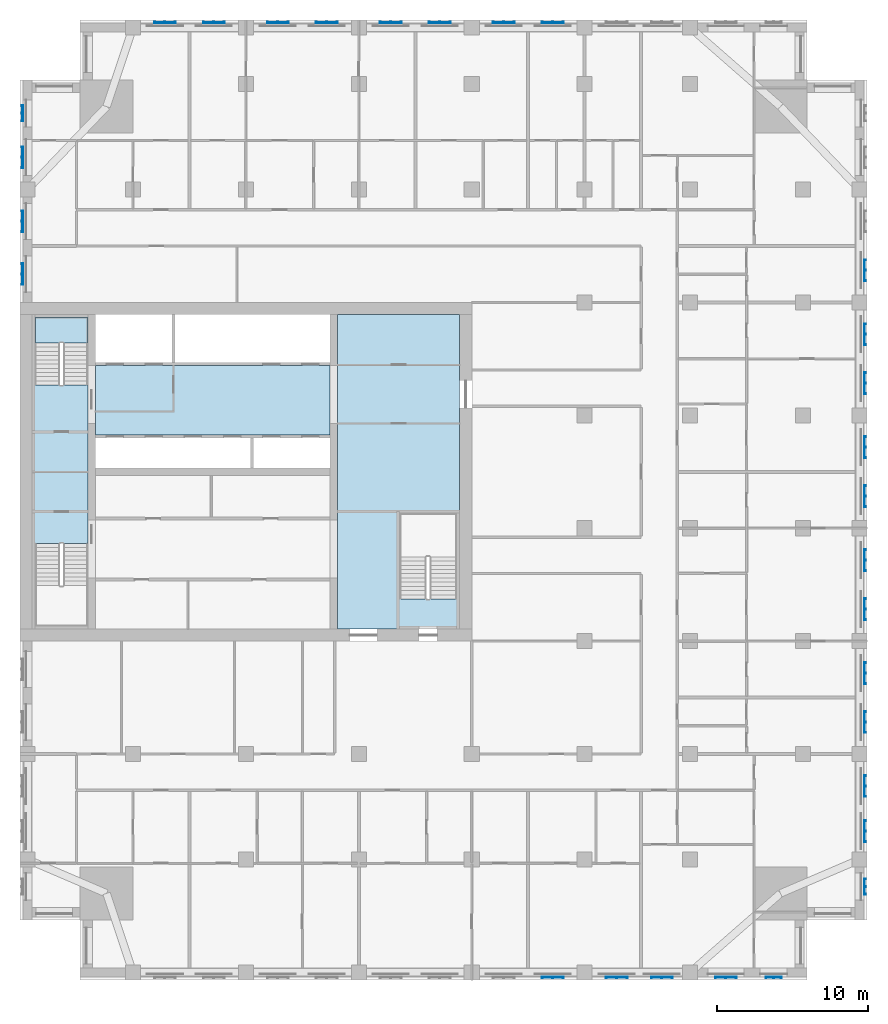
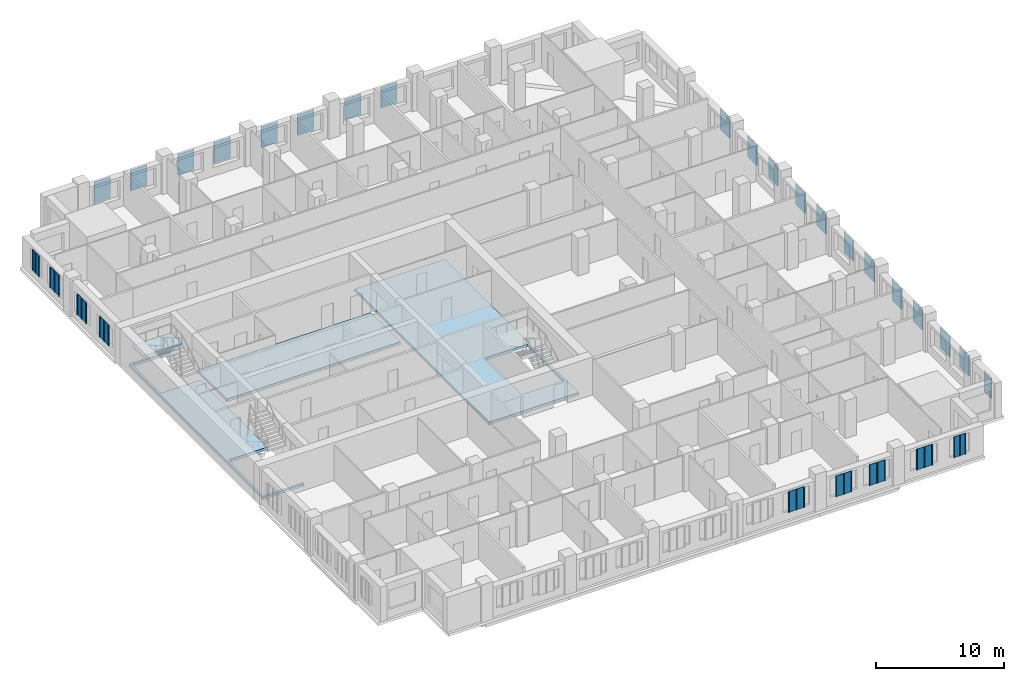
# One storey, part 2 of 14: 29 plates, 4 slabs, 1 element without a shape of its own.
"""IFC4 building model written with IfcOpenShell, lengths in metres."""

from ifc_helpers import new_model, si_unit, direction, frame, origin, place, context, subcontext, project, spatial, polyline, outline, extrude, material, layer, layer_set, type_object, element, aggregate, save


model = new_model("IFC4")

# Units and contexts
model_context = context("Model", 3, precision=1e-05, world=origin(), true_north=direction((0.0, 1.0)))
body_context = subcontext(model_context, "Body", "Model", "MODEL_VIEW")
ifc_project = project(units=[si_unit("LENGTHUNIT", "METRE"), si_unit("AREAUNIT", "SQUARE_METRE"), si_unit("VOLUMEUNIT", "CUBIC_METRE"), si_unit("PLANEANGLEUNIT", "RADIAN"), si_unit("MASSUNIT", "GRAM", prefix="KILO")], contexts=[model_context])

# Site, building, storey
site_placement = place(None, origin())
site = spatial("IfcSite", under=ifc_project, at=site_placement, CompositionType="ELEMENT")
building_placement = place(site_placement, origin())
building = spatial("IfcBuilding", under=site, at=building_placement, Name="Tamorin Gate", CompositionType="ELEMENT")
storey_placement = place(building_placement, frame((0.0, 0.0, 137.39990234375)))
storey = spatial("IfcBuildingStorey", under=building, at=storey_placement, Name="L33", CompositionType="ELEMENT", Elevation=137.39990234375)

# Slabs
ifc_material_1 = material(Name="Concrete C40/50", Category="concrete")
ifc_layer_1 = layer(ifc_material_1, 0.25)
ifc_layer_set_1 = layer_set([ifc_layer_1], Name="Core floor slab 250 C40/50")
slab_type_1 = type_object("IfcSlabType", Name="Core floor slab 250 C40/50", PredefinedType="FLOOR", material=ifc_layer_set_1)
slab_1_placement = place(storey_placement, frame((0.0, 0.0, -0.25)))
element("IfcSlab", 1, at=slab_1_placement, inside=storey, type_object=slab_type_1, Name="Core floor L33", PredefinedType="FLOOR", context=body_context, shape_type="SweptSolid", body=[
    extrude(outline(polyline([(51.10009765625, 81.699951171875), (59.199951171875, 81.699951171875), (59.199951171875, 60.800048828125), (51.10009765625, 60.800048828125), (51.10009765625, 81.699951171875)]), holes=[polyline([(55.199951171875, 62.800048828125), (59.0, 62.800048828125), (59.0, 68.5), (55.199951171875, 68.5), (55.199951171875, 62.800048828125)])]), origin(), (0.0, 0.0, 1.0), 0.25),
])
slab_2_placement = place(storey_placement, frame((0.0, 0.0, -0.25)))
element("IfcSlab", 2, at=slab_2_placement, inside=storey, type_object=slab_type_1, Name="Core floor L33", PredefinedType="FLOOR", context=body_context, shape_type="SweptSolid", body=[
    extrude(outline(polyline([(50.60009765625, 73.699951171875), (35.0, 73.699951171875), (35.0, 78.300048828125), (50.60009765625, 78.300048828125), (50.60009765625, 73.699951171875)])), origin(), (0.0, 0.0, 1.0), 0.25),
])
slab_3_placement = place(storey_placement, frame((0.0, 0.0, -0.25)))
element("IfcSlab", 3, at=slab_3_placement, inside=storey, type_object=slab_type_1, Name="Core floor L33", PredefinedType="FLOOR", context=body_context, shape_type="SweptSolid", body=[
    extrude(outline(polyline([(34.5, 60.800048828125), (30.800048828125, 60.800048828125), (30.800048828125, 81.699951171875), (34.5, 81.699951171875), (34.5, 81.5), (31.0, 81.5), (31.0, 77.0), (34.5, 77.0), (34.5, 66.5), (31.0, 66.5), (31.0, 61.0), (34.5, 61.0), (34.5, 60.800048828125)])), origin(), (0.0, 0.0, 1.0), 0.25),
])

# Stair, slab
stair_type = type_object("IfcStairType", Name="Exit stair", PredefinedType="HALF_TURN_STAIR", material=ifc_material_1)
stair_placement = place(storey_placement, origin())
stair = element("IfcStair", 4, at=stair_placement, inside=storey, type_object=stair_type, Name="L33 stair ST2", PredefinedType="HALF_TURN_STAIR")
ifc_layer_2 = layer(ifc_material_1, 0.199951171875)
ifc_layer_set_2 = layer_set([ifc_layer_2], Name="Exit stair landing 200")
slab_type_2 = type_object("IfcSlabType", Name="Exit stair landing 200", PredefinedType="LANDING", material=ifc_layer_set_2)
slab_4_placement = place(storey_placement, frame((0.0, 0.0, 1.60009765625)))
slab_4 = element("IfcSlab", 5, at=slab_4_placement, type_object=slab_type_2, Name="ST2 landing 1", PredefinedType="LANDING", context=body_context, shape_type="SweptSolid", body=[
    extrude(outline(polyline([(34.5, 79.800048828125), (34.5, 81.5), (31.0, 81.5), (31.0, 79.800048828125), (34.5, 79.800048828125)])), origin(), (0.0, 0.0, 1.0), 0.199951171875),
])
aggregate(stair, [slab_4])

# Plates
ifc_material_2 = material(Name="Perforated pale aluminium sheet", Category="aluminium")
ifc_layer_3 = layer(ifc_material_2, 0.0400390625)
ifc_layer_set_3 = layer_set([ifc_layer_3], Name="Pale metal solar screen 1080")
plate_type_1 = type_object("IfcPlateType", Name="Pale metal solar screen 1080", PredefinedType="SHEET", material=ifc_layer_set_3)
plate_1_placement = place(storey_placement, frame((0.0, 0.0, 0.710205078125)))
element("IfcPlate", 6, at=plate_1_placement, inside=storey, type_object=plate_type_1, Name="Perforated solar screen", PredefinedType="SHEET", context=body_context, shape_type="SweptSolid", body=[
    extrude(outline(polyline([(79.510009765625, 37.659912109375), (79.510009765625, 37.699951171875), (79.570068359375, 37.699951171875), (80.02001953125, 37.699951171875), (80.080078125, 37.699951171875), (80.530029296875, 37.699951171875), (80.590087890625, 37.699951171875), (80.590087890625, 37.659912109375), (80.590087890625, 37.60009765625), (80.530029296875, 37.60009765625), (80.530029296875, 37.659912109375), (80.080078125, 37.659912109375), (80.080078125, 37.60009765625), (80.02001953125, 37.60009765625), (80.02001953125, 37.659912109375), (79.570068359375, 37.659912109375), (79.570068359375, 37.60009765625), (79.510009765625, 37.60009765625), (79.510009765625, 37.659912109375)])), origin(), (0.0, 0.0, 1.0), 1.97998046875),
])
plate_2_placement = place(storey_placement, frame((0.0, 0.0, 0.710205078125)))
element("IfcPlate", 7, at=plate_2_placement, inside=storey, type_object=plate_type_1, Name="Perforated solar screen", PredefinedType="SHEET", context=body_context, shape_type="SweptSolid", body=[
    extrude(outline(polyline([(86.090087890625, 43.159912109375), (86.050048828125, 43.159912109375), (86.050048828125, 43.219970703125), (86.050048828125, 43.669921875), (86.050048828125, 43.72998046875), (86.050048828125, 44.179931640625), (86.050048828125, 44.239990234375), (86.090087890625, 44.239990234375), (86.14990234375, 44.239990234375), (86.14990234375, 44.179931640625), (86.090087890625, 44.179931640625), (86.090087890625, 43.72998046875), (86.14990234375, 43.72998046875), (86.14990234375, 43.669921875), (86.090087890625, 43.669921875), (86.090087890625, 43.219970703125), (86.14990234375, 43.219970703125), (86.14990234375, 43.159912109375), (86.090087890625, 43.159912109375)])), origin(), (0.0, 0.0, 1.0), 1.97998046875),
])
plate_3_placement = place(storey_placement, frame((0.0, 0.0, 0.710205078125)))
element("IfcPlate", 8, at=plate_3_placement, inside=storey, type_object=plate_type_1, Name="Perforated solar screen", PredefinedType="SHEET", context=body_context, shape_type="SweptSolid", body=[
    extrude(outline(polyline([(30.159912109375, 95.590087890625), (30.199951171875, 95.590087890625), (30.199951171875, 95.530029296875), (30.199951171875, 95.080078125), (30.199951171875, 95.02001953125), (30.199951171875, 94.570068359375), (30.199951171875, 94.510009765625), (30.159912109375, 94.510009765625), (30.10009765625, 94.510009765625), (30.10009765625, 94.570068359375), (30.159912109375, 94.570068359375), (30.159912109375, 95.02001953125), (30.10009765625, 95.02001953125), (30.10009765625, 95.080078125), (30.159912109375, 95.080078125), (30.159912109375, 95.530029296875), (30.10009765625, 95.530029296875), (30.10009765625, 95.590087890625), (30.159912109375, 95.590087890625)])), origin(), (0.0, 0.0, 1.0), 1.97998046875),
])
ifc_layer_4 = layer(ifc_material_2, 0.0400390625)
ifc_layer_set_4 = layer_set([ifc_layer_4], Name="Pale metal solar screen 1440")
plate_type_2 = type_object("IfcPlateType", Name="Pale metal solar screen 1440", PredefinedType="SHEET", material=ifc_layer_set_4)
plate_4_placement = place(storey_placement, frame((0.0, 0.0, 0.710205078125)))
element("IfcPlate", 9, at=plate_4_placement, inside=storey, type_object=plate_type_2, Name="Perforated solar screen", PredefinedType="SHEET", context=body_context, shape_type="SweptSolid", body=[
    extrude(outline(polyline([(64.655029296875, 37.659912109375), (64.655029296875, 37.699951171875), (64.715087890625, 37.699951171875), (65.344970703125, 37.699951171875), (65.405029296875, 37.699951171875), (66.034912109375, 37.699951171875), (66.094970703125, 37.699951171875), (66.094970703125, 37.659912109375), (66.094970703125, 37.60009765625), (66.034912109375, 37.60009765625), (66.034912109375, 37.659912109375), (65.405029296875, 37.659912109375), (65.405029296875, 37.60009765625), (65.344970703125, 37.60009765625), (65.344970703125, 37.659912109375), (64.715087890625, 37.659912109375), (64.715087890625, 37.60009765625), (64.655029296875, 37.60009765625), (64.655029296875, 37.659912109375)])), origin(), (0.0, 0.0, 1.0), 1.97998046875),
])
plate_5_placement = place(storey_placement, frame((0.0, 0.0, 0.710205078125)))
element("IfcPlate", 10, at=plate_5_placement, inside=storey, type_object=plate_type_2, Name="Perforated solar screen", PredefinedType="SHEET", context=body_context, shape_type="SweptSolid", body=[
    extrude(outline(polyline([(68.905029296875, 37.659912109375), (68.905029296875, 37.699951171875), (68.965087890625, 37.699951171875), (69.594970703125, 37.699951171875), (69.655029296875, 37.699951171875), (70.284912109375, 37.699951171875), (70.344970703125, 37.699951171875), (70.344970703125, 37.659912109375), (70.344970703125, 37.60009765625), (70.284912109375, 37.60009765625), (70.284912109375, 37.659912109375), (69.655029296875, 37.659912109375), (69.655029296875, 37.60009765625), (69.594970703125, 37.60009765625), (69.594970703125, 37.659912109375), (68.965087890625, 37.659912109375), (68.965087890625, 37.60009765625), (68.905029296875, 37.60009765625), (68.905029296875, 37.659912109375)])), origin(), (0.0, 0.0, 1.0), 1.97998046875),
])
plate_6_placement = place(storey_placement, frame((0.0, 0.0, 0.710205078125)))
element("IfcPlate", 11, at=plate_6_placement, inside=storey, type_object=plate_type_2, Name="Perforated solar screen", PredefinedType="SHEET", context=body_context, shape_type="SweptSolid", body=[
    extrude(outline(polyline([(71.905029296875, 37.659912109375), (71.905029296875, 37.699951171875), (71.965087890625, 37.699951171875), (72.594970703125, 37.699951171875), (72.655029296875, 37.699951171875), (73.284912109375, 37.699951171875), (73.344970703125, 37.699951171875), (73.344970703125, 37.659912109375), (73.344970703125, 37.60009765625), (73.284912109375, 37.60009765625), (73.284912109375, 37.659912109375), (72.655029296875, 37.659912109375), (72.655029296875, 37.60009765625), (72.594970703125, 37.60009765625), (72.594970703125, 37.659912109375), (71.965087890625, 37.659912109375), (71.965087890625, 37.60009765625), (71.905029296875, 37.60009765625), (71.905029296875, 37.659912109375)])), origin(), (0.0, 0.0, 1.0), 1.97998046875),
])
plate_7_placement = place(storey_placement, frame((0.0, 0.0, 0.710205078125)))
element("IfcPlate", 12, at=plate_7_placement, inside=storey, type_object=plate_type_2, Name="Perforated solar screen", PredefinedType="SHEET", context=body_context, shape_type="SweptSolid", body=[
    extrude(outline(polyline([(76.155029296875, 37.659912109375), (76.155029296875, 37.699951171875), (76.215087890625, 37.699951171875), (76.844970703125, 37.699951171875), (76.905029296875, 37.699951171875), (77.534912109375, 37.699951171875), (77.594970703125, 37.699951171875), (77.594970703125, 37.659912109375), (77.594970703125, 37.60009765625), (77.534912109375, 37.60009765625), (77.534912109375, 37.659912109375), (76.905029296875, 37.659912109375), (76.905029296875, 37.60009765625), (76.844970703125, 37.60009765625), (76.844970703125, 37.659912109375), (76.215087890625, 37.659912109375), (76.215087890625, 37.60009765625), (76.155029296875, 37.60009765625), (76.155029296875, 37.659912109375)])), origin(), (0.0, 0.0, 1.0), 1.97998046875),
])
plate_8_placement = place(storey_placement, frame((0.0, 0.0, 0.710205078125)))
element("IfcPlate", 13, at=plate_8_placement, inside=storey, type_object=plate_type_2, Name="Perforated solar screen", PredefinedType="SHEET", context=body_context, shape_type="SweptSolid", body=[
    extrude(outline(polyline([(86.090087890625, 46.655029296875), (86.050048828125, 46.655029296875), (86.050048828125, 46.715087890625), (86.050048828125, 47.344970703125), (86.050048828125, 47.405029296875), (86.050048828125, 48.034912109375), (86.050048828125, 48.094970703125), (86.050048828125, 48.094970703125), (86.090087890625, 48.094970703125), (86.090087890625, 48.094970703125), (86.14990234375, 48.094970703125), (86.14990234375, 48.034912109375), (86.090087890625, 48.034912109375), (86.090087890625, 47.405029296875), (86.14990234375, 47.405029296875), (86.14990234375, 47.344970703125), (86.090087890625, 47.344970703125), (86.090087890625, 46.715087890625), (86.14990234375, 46.715087890625), (86.14990234375, 46.655029296875), (86.090087890625, 46.655029296875)])), origin(), (0.0, 0.0, 1.0), 1.97998046875),
])
plate_9_placement = place(storey_placement, frame((0.0, 0.0, 0.710205078125)))
element("IfcPlate", 14, at=plate_9_placement, inside=storey, type_object=plate_type_2, Name="Perforated solar screen", PredefinedType="SHEET", context=body_context, shape_type="SweptSolid", body=[
    extrude(outline(polyline([(86.090087890625, 49.655029296875), (86.050048828125, 49.655029296875), (86.050048828125, 49.715087890625), (86.050048828125, 50.344970703125), (86.050048828125, 50.405029296875), (86.050048828125, 51.034912109375), (86.050048828125, 51.094970703125), (86.090087890625, 51.094970703125), (86.14990234375, 51.094970703125), (86.14990234375, 51.034912109375), (86.090087890625, 51.034912109375), (86.090087890625, 50.405029296875), (86.14990234375, 50.405029296875), (86.14990234375, 50.344970703125), (86.090087890625, 50.344970703125), (86.090087890625, 49.715087890625), (86.14990234375, 49.715087890625), (86.14990234375, 49.655029296875), (86.090087890625, 49.655029296875)])), origin(), (0.0, 0.0, 1.0), 1.97998046875),
])
plate_10_placement = place(storey_placement, frame((0.0, 0.0, 0.710205078125)))
element("IfcPlate", 15, at=plate_10_placement, inside=storey, type_object=plate_type_2, Name="Perforated solar screen", PredefinedType="SHEET", context=body_context, shape_type="SweptSolid", body=[
    extrude(outline(polyline([(86.090087890625, 53.905029296875), (86.050048828125, 53.905029296875), (86.050048828125, 53.965087890625), (86.050048828125, 54.594970703125), (86.050048828125, 54.655029296875), (86.050048828125, 55.284912109375), (86.050048828125, 55.344970703125), (86.090087890625, 55.344970703125), (86.14990234375, 55.344970703125), (86.14990234375, 55.284912109375), (86.090087890625, 55.284912109375), (86.090087890625, 54.655029296875), (86.14990234375, 54.655029296875), (86.14990234375, 54.594970703125), (86.090087890625, 54.594970703125), (86.090087890625, 53.965087890625), (86.14990234375, 53.965087890625), (86.14990234375, 53.905029296875), (86.090087890625, 53.905029296875)])), origin(), (0.0, 0.0, 1.0), 1.97998046875),
])
plate_11_placement = place(storey_placement, frame((0.0, 0.0, 0.710205078125)))
element("IfcPlate", 16, at=plate_11_placement, inside=storey, type_object=plate_type_2, Name="Perforated solar screen", PredefinedType="SHEET", context=body_context, shape_type="SweptSolid", body=[
    extrude(outline(polyline([(86.090087890625, 57.155029296875), (86.050048828125, 57.155029296875), (86.050048828125, 57.215087890625), (86.050048828125, 57.844970703125), (86.050048828125, 57.905029296875), (86.050048828125, 58.534912109375), (86.050048828125, 58.594970703125), (86.090087890625, 58.594970703125), (86.14990234375, 58.594970703125), (86.14990234375, 58.534912109375), (86.090087890625, 58.534912109375), (86.090087890625, 57.905029296875), (86.14990234375, 57.905029296875), (86.14990234375, 57.844970703125), (86.090087890625, 57.844970703125), (86.090087890625, 57.215087890625), (86.14990234375, 57.215087890625), (86.14990234375, 57.155029296875), (86.090087890625, 57.155029296875)])), origin(), (0.0, 0.0, 1.0), 1.97998046875),
])
plate_12_placement = place(storey_placement, frame((0.0, 0.0, 0.710205078125)))
element("IfcPlate", 17, at=plate_12_placement, inside=storey, type_object=plate_type_2, Name="Perforated solar screen", PredefinedType="SHEET", context=body_context, shape_type="SweptSolid", body=[
    extrude(outline(polyline([(86.090087890625, 61.405029296875), (86.050048828125, 61.405029296875), (86.050048828125, 61.465087890625), (86.050048828125, 62.094970703125), (86.050048828125, 62.155029296875), (86.050048828125, 62.784912109375), (86.050048828125, 62.844970703125), (86.090087890625, 62.844970703125), (86.14990234375, 62.844970703125), (86.14990234375, 62.784912109375), (86.090087890625, 62.784912109375), (86.090087890625, 62.155029296875), (86.14990234375, 62.155029296875), (86.14990234375, 62.094970703125), (86.090087890625, 62.094970703125), (86.090087890625, 61.465087890625), (86.14990234375, 61.465087890625), (86.14990234375, 61.405029296875), (86.090087890625, 61.405029296875)])), origin(), (0.0, 0.0, 1.0), 1.97998046875),
])
plate_13_placement = place(storey_placement, frame((0.0, 0.0, 0.710205078125)))
element("IfcPlate", 18, at=plate_13_placement, inside=storey, type_object=plate_type_2, Name="Perforated solar screen", PredefinedType="SHEET", context=body_context, shape_type="SweptSolid", body=[
    extrude(outline(polyline([(86.090087890625, 64.655029296875), (86.050048828125, 64.655029296875), (86.050048828125, 64.715087890625), (86.050048828125, 65.344970703125), (86.050048828125, 65.405029296875), (86.050048828125, 66.034912109375), (86.050048828125, 66.094970703125), (86.090087890625, 66.094970703125), (86.14990234375, 66.094970703125), (86.14990234375, 66.034912109375), (86.090087890625, 66.034912109375), (86.090087890625, 65.405029296875), (86.14990234375, 65.405029296875), (86.14990234375, 65.344970703125), (86.090087890625, 65.344970703125), (86.090087890625, 64.715087890625), (86.14990234375, 64.715087890625), (86.14990234375, 64.655029296875), (86.090087890625, 64.655029296875)])), origin(), (0.0, 0.0, 1.0), 1.97998046875),
])
plate_14_placement = place(storey_placement, frame((0.0, 0.0, 0.710205078125)))
element("IfcPlate", 19, at=plate_14_placement, inside=storey, type_object=plate_type_2, Name="Perforated solar screen", PredefinedType="SHEET", context=body_context, shape_type="SweptSolid", body=[
    extrude(outline(polyline([(86.090087890625, 68.905029296875), (86.050048828125, 68.905029296875), (86.050048828125, 68.965087890625), (86.050048828125, 69.594970703125), (86.050048828125, 69.655029296875), (86.050048828125, 70.284912109375), (86.050048828125, 70.344970703125), (86.090087890625, 70.344970703125), (86.14990234375, 70.344970703125), (86.14990234375, 70.284912109375), (86.090087890625, 70.284912109375), (86.090087890625, 69.655029296875), (86.14990234375, 69.655029296875), (86.14990234375, 69.594970703125), (86.090087890625, 69.594970703125), (86.090087890625, 68.965087890625), (86.14990234375, 68.965087890625), (86.14990234375, 68.905029296875), (86.090087890625, 68.905029296875)])), origin(), (0.0, 0.0, 1.0), 1.97998046875),
])
plate_15_placement = place(storey_placement, frame((0.0, 0.0, 0.710205078125)))
element("IfcPlate", 20, at=plate_15_placement, inside=storey, type_object=plate_type_2, Name="Perforated solar screen", PredefinedType="SHEET", context=body_context, shape_type="SweptSolid", body=[
    extrude(outline(polyline([(86.090087890625, 72.155029296875), (86.050048828125, 72.155029296875), (86.050048828125, 72.215087890625), (86.050048828125, 72.844970703125), (86.050048828125, 72.905029296875), (86.050048828125, 73.534912109375), (86.050048828125, 73.594970703125), (86.090087890625, 73.594970703125), (86.14990234375, 73.594970703125), (86.14990234375, 73.534912109375), (86.090087890625, 73.534912109375), (86.090087890625, 72.905029296875), (86.14990234375, 72.905029296875), (86.14990234375, 72.844970703125), (86.090087890625, 72.844970703125), (86.090087890625, 72.215087890625), (86.14990234375, 72.215087890625), (86.14990234375, 72.155029296875), (86.090087890625, 72.155029296875)])), origin(), (0.0, 0.0, 1.0), 1.97998046875),
])
plate_16_placement = place(storey_placement, frame((0.0, 0.0, 0.710205078125)))
element("IfcPlate", 21, at=plate_16_placement, inside=storey, type_object=plate_type_2, Name="Perforated solar screen", PredefinedType="SHEET", context=body_context, shape_type="SweptSolid", body=[
    extrude(outline(polyline([(86.090087890625, 76.405029296875), (86.050048828125, 76.405029296875), (86.050048828125, 76.465087890625), (86.050048828125, 77.094970703125), (86.050048828125, 77.155029296875), (86.050048828125, 77.784912109375), (86.050048828125, 77.844970703125), (86.090087890625, 77.844970703125), (86.14990234375, 77.844970703125), (86.14990234375, 77.784912109375), (86.090087890625, 77.784912109375), (86.090087890625, 77.155029296875), (86.14990234375, 77.155029296875), (86.14990234375, 77.094970703125), (86.090087890625, 77.094970703125), (86.090087890625, 76.465087890625), (86.14990234375, 76.465087890625), (86.14990234375, 76.405029296875), (86.090087890625, 76.405029296875)])), origin(), (0.0, 0.0, 1.0), 1.97998046875),
])
plate_17_placement = place(storey_placement, frame((0.0, 0.0, 0.710205078125)))
element("IfcPlate", 22, at=plate_17_placement, inside=storey, type_object=plate_type_2, Name="Perforated solar screen", PredefinedType="SHEET", context=body_context, shape_type="SweptSolid", body=[
    extrude(outline(polyline([(86.090087890625, 79.655029296875), (86.050048828125, 79.655029296875), (86.050048828125, 79.715087890625), (86.050048828125, 80.344970703125), (86.050048828125, 80.405029296875), (86.050048828125, 81.034912109375), (86.050048828125, 81.094970703125), (86.090087890625, 81.094970703125), (86.14990234375, 81.094970703125), (86.14990234375, 81.034912109375), (86.090087890625, 81.034912109375), (86.090087890625, 80.405029296875), (86.14990234375, 80.405029296875), (86.14990234375, 80.344970703125), (86.090087890625, 80.344970703125), (86.090087890625, 79.715087890625), (86.14990234375, 79.715087890625), (86.14990234375, 79.655029296875), (86.090087890625, 79.655029296875)])), origin(), (0.0, 0.0, 1.0), 1.97998046875),
])
plate_18_placement = place(storey_placement, frame((0.0, 0.0, 0.710205078125)))
element("IfcPlate", 23, at=plate_18_placement, inside=storey, type_object=plate_type_2, Name="Perforated solar screen", PredefinedType="SHEET", context=body_context, shape_type="SweptSolid", body=[
    extrude(outline(polyline([(86.090087890625, 83.905029296875), (86.050048828125, 83.905029296875), (86.050048828125, 83.965087890625), (86.050048828125, 84.594970703125), (86.050048828125, 84.655029296875), (86.050048828125, 85.284912109375), (86.050048828125, 85.344970703125), (86.090087890625, 85.344970703125), (86.14990234375, 85.344970703125), (86.14990234375, 85.284912109375), (86.090087890625, 85.284912109375), (86.090087890625, 84.655029296875), (86.14990234375, 84.655029296875), (86.14990234375, 84.594970703125), (86.090087890625, 84.594970703125), (86.090087890625, 83.965087890625), (86.14990234375, 83.965087890625), (86.14990234375, 83.905029296875), (86.090087890625, 83.905029296875)])), origin(), (0.0, 0.0, 1.0), 1.97998046875),
])
plate_19_placement = place(storey_placement, frame((0.0, 0.0, 0.710205078125)))
element("IfcPlate", 24, at=plate_19_placement, inside=storey, type_object=plate_type_2, Name="Perforated solar screen", PredefinedType="SHEET", context=body_context, shape_type="SweptSolid", body=[
    extrude(outline(polyline([(62.844970703125, 101.090087890625), (62.844970703125, 101.050048828125), (62.784912109375, 101.050048828125), (62.155029296875, 101.050048828125), (62.094970703125, 101.050048828125), (61.465087890625, 101.050048828125), (61.405029296875, 101.050048828125), (61.405029296875, 101.090087890625), (61.405029296875, 101.14990234375), (61.465087890625, 101.14990234375), (61.465087890625, 101.090087890625), (62.094970703125, 101.090087890625), (62.094970703125, 101.14990234375), (62.155029296875, 101.14990234375), (62.155029296875, 101.090087890625), (62.784912109375, 101.090087890625), (62.784912109375, 101.14990234375), (62.844970703125, 101.14990234375), (62.844970703125, 101.090087890625)])), origin(), (0.0, 0.0, 1.0), 1.97998046875),
])
plate_20_placement = place(storey_placement, frame((0.0, 0.0, 0.710205078125)))
element("IfcPlate", 25, at=plate_20_placement, inside=storey, type_object=plate_type_2, Name="Perforated solar screen", PredefinedType="SHEET", context=body_context, shape_type="SweptSolid", body=[
    extrude(outline(polyline([(66.094970703125, 101.090087890625), (66.094970703125, 101.050048828125), (66.034912109375, 101.050048828125), (65.405029296875, 101.050048828125), (65.344970703125, 101.050048828125), (64.715087890625, 101.050048828125), (64.655029296875, 101.050048828125), (64.655029296875, 101.090087890625), (64.655029296875, 101.14990234375), (64.715087890625, 101.14990234375), (64.715087890625, 101.090087890625), (65.344970703125, 101.090087890625), (65.344970703125, 101.14990234375), (65.405029296875, 101.14990234375), (65.405029296875, 101.090087890625), (66.034912109375, 101.090087890625), (66.034912109375, 101.14990234375), (66.094970703125, 101.14990234375), (66.094970703125, 101.090087890625)])), origin(), (0.0, 0.0, 1.0), 1.97998046875),
])
plate_21_placement = place(storey_placement, frame((0.0, 0.0, 0.710205078125)))
element("IfcPlate", 26, at=plate_21_placement, inside=storey, type_object=plate_type_2, Name="Perforated solar screen", PredefinedType="SHEET", context=body_context, shape_type="SweptSolid", body=[
    extrude(outline(polyline([(55.344970703125, 101.090087890625), (55.344970703125, 101.050048828125), (55.284912109375, 101.050048828125), (54.655029296875, 101.050048828125), (54.594970703125, 101.050048828125), (53.965087890625, 101.050048828125), (53.905029296875, 101.050048828125), (53.905029296875, 101.090087890625), (53.905029296875, 101.14990234375), (53.965087890625, 101.14990234375), (53.965087890625, 101.090087890625), (54.594970703125, 101.090087890625), (54.594970703125, 101.14990234375), (54.655029296875, 101.14990234375), (54.655029296875, 101.090087890625), (55.284912109375, 101.090087890625), (55.284912109375, 101.14990234375), (55.344970703125, 101.14990234375), (55.344970703125, 101.090087890625)])), origin(), (0.0, 0.0, 1.0), 1.97998046875),
])
plate_22_placement = place(storey_placement, frame((0.0, 0.0, 0.710205078125)))
element("IfcPlate", 27, at=plate_22_placement, inside=storey, type_object=plate_type_2, Name="Perforated solar screen", PredefinedType="SHEET", context=body_context, shape_type="SweptSolid", body=[
    extrude(outline(polyline([(58.594970703125, 101.090087890625), (58.594970703125, 101.050048828125), (58.534912109375, 101.050048828125), (57.905029296875, 101.050048828125), (57.844970703125, 101.050048828125), (57.215087890625, 101.050048828125), (57.155029296875, 101.050048828125), (57.155029296875, 101.090087890625), (57.155029296875, 101.14990234375), (57.215087890625, 101.14990234375), (57.215087890625, 101.090087890625), (57.844970703125, 101.090087890625), (57.844970703125, 101.14990234375), (57.905029296875, 101.14990234375), (57.905029296875, 101.090087890625), (58.534912109375, 101.090087890625), (58.534912109375, 101.14990234375), (58.594970703125, 101.14990234375), (58.594970703125, 101.090087890625)])), origin(), (0.0, 0.0, 1.0), 1.97998046875),
])
plate_23_placement = place(storey_placement, frame((0.0, 0.0, 0.710205078125)))
element("IfcPlate", 28, at=plate_23_placement, inside=storey, type_object=plate_type_2, Name="Perforated solar screen", PredefinedType="SHEET", context=body_context, shape_type="SweptSolid", body=[
    extrude(outline(polyline([(47.844970703125, 101.090087890625), (47.844970703125, 101.050048828125), (47.784912109375, 101.050048828125), (47.155029296875, 101.050048828125), (47.094970703125, 101.050048828125), (46.465087890625, 101.050048828125), (46.405029296875, 101.050048828125), (46.405029296875, 101.090087890625), (46.405029296875, 101.14990234375), (46.465087890625, 101.14990234375), (46.465087890625, 101.090087890625), (47.094970703125, 101.090087890625), (47.094970703125, 101.14990234375), (47.155029296875, 101.14990234375), (47.155029296875, 101.090087890625), (47.784912109375, 101.090087890625), (47.784912109375, 101.14990234375), (47.844970703125, 101.14990234375), (47.844970703125, 101.090087890625)])), origin(), (0.0, 0.0, 1.0), 1.97998046875),
])
plate_24_placement = place(storey_placement, frame((0.0, 0.0, 0.710205078125)))
element("IfcPlate", 29, at=plate_24_placement, inside=storey, type_object=plate_type_2, Name="Perforated solar screen", PredefinedType="SHEET", context=body_context, shape_type="SweptSolid", body=[
    extrude(outline(polyline([(51.094970703125, 101.090087890625), (51.094970703125, 101.050048828125), (51.034912109375, 101.050048828125), (50.405029296875, 101.050048828125), (50.344970703125, 101.050048828125), (49.715087890625, 101.050048828125), (49.655029296875, 101.050048828125), (49.655029296875, 101.090087890625), (49.655029296875, 101.14990234375), (49.715087890625, 101.14990234375), (49.715087890625, 101.090087890625), (50.344970703125, 101.090087890625), (50.344970703125, 101.14990234375), (50.405029296875, 101.14990234375), (50.405029296875, 101.090087890625), (51.034912109375, 101.090087890625), (51.034912109375, 101.14990234375), (51.094970703125, 101.14990234375), (51.094970703125, 101.090087890625)])), origin(), (0.0, 0.0, 1.0), 1.97998046875),
])
plate_25_placement = place(storey_placement, frame((0.0, 0.0, 0.710205078125)))
element("IfcPlate", 30, at=plate_25_placement, inside=storey, type_object=plate_type_2, Name="Perforated solar screen", PredefinedType="SHEET", context=body_context, shape_type="SweptSolid", body=[
    extrude(outline(polyline([(40.344970703125, 101.090087890625), (40.344970703125, 101.050048828125), (40.284912109375, 101.050048828125), (39.655029296875, 101.050048828125), (39.594970703125, 101.050048828125), (38.965087890625, 101.050048828125), (38.905029296875, 101.050048828125), (38.905029296875, 101.090087890625), (38.905029296875, 101.14990234375), (38.965087890625, 101.14990234375), (38.965087890625, 101.090087890625), (39.594970703125, 101.090087890625), (39.594970703125, 101.14990234375), (39.655029296875, 101.14990234375), (39.655029296875, 101.090087890625), (40.284912109375, 101.090087890625), (40.284912109375, 101.14990234375), (40.344970703125, 101.14990234375), (40.344970703125, 101.090087890625)])), origin(), (0.0, 0.0, 1.0), 1.97998046875),
])
plate_26_placement = place(storey_placement, frame((0.0, 0.0, 0.710205078125)))
element("IfcPlate", 31, at=plate_26_placement, inside=storey, type_object=plate_type_2, Name="Perforated solar screen", PredefinedType="SHEET", context=body_context, shape_type="SweptSolid", body=[
    extrude(outline(polyline([(43.594970703125, 101.090087890625), (43.594970703125, 101.050048828125), (43.534912109375, 101.050048828125), (42.905029296875, 101.050048828125), (42.844970703125, 101.050048828125), (42.215087890625, 101.050048828125), (42.155029296875, 101.050048828125), (42.155029296875, 101.090087890625), (42.155029296875, 101.14990234375), (42.215087890625, 101.14990234375), (42.215087890625, 101.090087890625), (42.844970703125, 101.090087890625), (42.844970703125, 101.14990234375), (42.905029296875, 101.14990234375), (42.905029296875, 101.090087890625), (43.534912109375, 101.090087890625), (43.534912109375, 101.14990234375), (43.594970703125, 101.14990234375), (43.594970703125, 101.090087890625)])), origin(), (0.0, 0.0, 1.0), 1.97998046875),
])
plate_27_placement = place(storey_placement, frame((0.0, 0.0, 0.710205078125)))
element("IfcPlate", 32, at=plate_27_placement, inside=storey, type_object=plate_type_2, Name="Perforated solar screen", PredefinedType="SHEET", context=body_context, shape_type="SweptSolid", body=[
    extrude(outline(polyline([(30.159912109375, 92.844970703125), (30.199951171875, 92.844970703125), (30.199951171875, 92.784912109375), (30.199951171875, 92.155029296875), (30.199951171875, 92.094970703125), (30.199951171875, 91.465087890625), (30.199951171875, 91.405029296875), (30.199951171875, 91.405029296875), (30.159912109375, 91.405029296875), (30.159912109375, 91.405029296875), (30.10009765625, 91.405029296875), (30.10009765625, 91.465087890625), (30.159912109375, 91.465087890625), (30.159912109375, 92.094970703125), (30.10009765625, 92.094970703125), (30.10009765625, 92.155029296875), (30.159912109375, 92.155029296875), (30.159912109375, 92.784912109375), (30.10009765625, 92.784912109375), (30.10009765625, 92.844970703125), (30.159912109375, 92.844970703125)])), origin(), (0.0, 0.0, 1.0), 1.97998046875),
])
plate_28_placement = place(storey_placement, frame((0.0, 0.0, 0.710205078125)))
element("IfcPlate", 33, at=plate_28_placement, inside=storey, type_object=plate_type_2, Name="Perforated solar screen", PredefinedType="SHEET", context=body_context, shape_type="SweptSolid", body=[
    extrude(outline(polyline([(30.159912109375, 85.094970703125), (30.199951171875, 85.094970703125), (30.199951171875, 85.034912109375), (30.199951171875, 84.405029296875), (30.199951171875, 84.344970703125), (30.199951171875, 83.715087890625), (30.199951171875, 83.655029296875), (30.159912109375, 83.655029296875), (30.10009765625, 83.655029296875), (30.10009765625, 83.715087890625), (30.159912109375, 83.715087890625), (30.159912109375, 84.344970703125), (30.10009765625, 84.344970703125), (30.10009765625, 84.405029296875), (30.159912109375, 84.405029296875), (30.159912109375, 85.034912109375), (30.10009765625, 85.034912109375), (30.10009765625, 85.094970703125), (30.159912109375, 85.094970703125)])), origin(), (0.0, 0.0, 1.0), 1.97998046875),
])
plate_29_placement = place(storey_placement, frame((0.0, 0.0, 0.710205078125)))
element("IfcPlate", 34, at=plate_29_placement, inside=storey, type_object=plate_type_2, Name="Perforated solar screen", PredefinedType="SHEET", context=body_context, shape_type="SweptSolid", body=[
    extrude(outline(polyline([(30.159912109375, 88.594970703125), (30.199951171875, 88.594970703125), (30.199951171875, 88.534912109375), (30.199951171875, 87.905029296875), (30.199951171875, 87.844970703125), (30.199951171875, 87.215087890625), (30.199951171875, 87.155029296875), (30.159912109375, 87.155029296875), (30.10009765625, 87.155029296875), (30.10009765625, 87.215087890625), (30.159912109375, 87.215087890625), (30.159912109375, 87.844970703125), (30.10009765625, 87.844970703125), (30.10009765625, 87.905029296875), (30.159912109375, 87.905029296875), (30.159912109375, 88.534912109375), (30.10009765625, 88.534912109375), (30.10009765625, 88.594970703125), (30.159912109375, 88.594970703125)])), origin(), (0.0, 0.0, 1.0), 1.97998046875),
])

save(model, "model.ifc")
